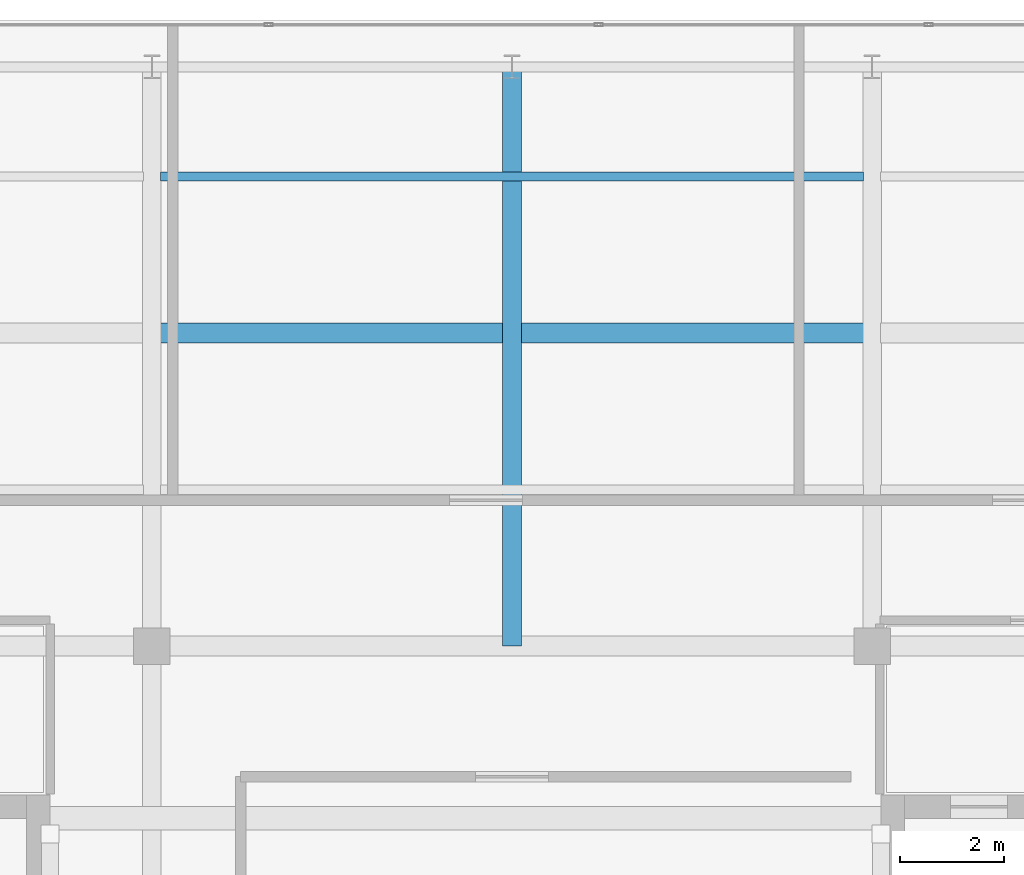
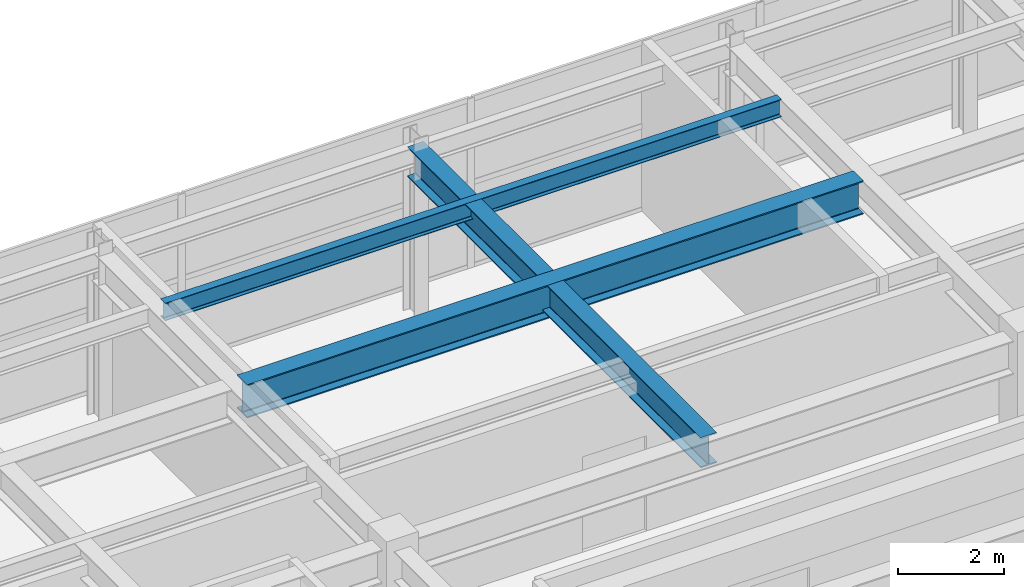
# One storey, part 24 of 32: 3 beams.
"""IFC4 building model written with IfcOpenShell, lengths in metres."""

from ifc_helpers import new_model, si_unit, direction, frame, origin, origin_2d, place, context, subcontext, project, spatial, i_section, extrude, source, transform, mapped, material, material_profile, profile_set, type_object, element, save


model = new_model("IFC4")

# Units and contexts
model_context = context("Model", 3, precision=1e-05, world=origin(), true_north=direction((0.0, 1.0)))
body_context = subcontext(model_context, "Body", "Model", "MODEL_VIEW")
ifc_project = project(units=[si_unit("LENGTHUNIT", "METRE"), si_unit("AREAUNIT", "SQUARE_METRE"), si_unit("VOLUMEUNIT", "CUBIC_METRE"), si_unit("PLANEANGLEUNIT", "RADIAN"), si_unit("MASSUNIT", "GRAM", prefix="KILO")], contexts=[model_context])

# Site, building, storey
site_placement = place(None, origin())
site = spatial("IfcSite", under=ifc_project, at=site_placement, CompositionType="ELEMENT")
building_placement = place(site_placement, origin())
building = spatial("IfcBuilding", under=site, at=building_placement, Name="Khoralis Quay Care Tower", CompositionType="ELEMENT")
storey_placement = place(building_placement, frame((0.0, 0.0, 297.89990234375)))
storey = spatial("IfcBuildingStorey", under=building, at=storey_placement, Name="L78", CompositionType="ELEMENT", Elevation=297.89990234375)

# Beams
ifc_material = material(Name="Steel S355", Category="steel")
ifc_material_profile_1 = material_profile(ifc_material, i_section(OverallWidth=0.381103515625, OverallDepth=0.77294921875, WebThickness=0.0166015625, FlangeThickness=0.027587890625, FilletRadius=0.02197265625, at=origin_2d()), Name="Steel S355")
ifc_profile_set_1 = profile_set([ifc_material_profile_1], Name="Steel S355")
beam_type_1 = type_object("IfcBeamType", Name="BM-W760X257", PredefinedType="BEAM", material=ifc_profile_set_1)
shared_shape_1 = source(origin(), body_context, "Body", "SweptSolid", [
    extrude(i_section(OverallWidth=0.381103515625, OverallDepth=0.77294921875, WebThickness=0.0166015625, FlangeThickness=0.027587890625, FilletRadius=0.02197265625, at=origin_2d()), origin(), (0.0, 0.0, 1.0), 13.46923828125),
])
beam_1_placement = place(storey_placement, frame((17.265380859375, 36.0, 3.53369140625), z_axis=(1.0, 0.0, 0.0), x_axis=(0.0, 1.0, 0.0)))
element("IfcBeam", 1, at=beam_1_placement, inside=storey, type_object=beam_type_1, Name="BM-TGCC-L78-360", PredefinedType="BEAM", context=body_context, shape_type="MappedRepresentation", body=[
    mapped(shared_shape_1, transform((0.0, 0.0, 0.0), scale=1.0)),
])
ifc_material_profile_2 = material_profile(ifc_material, i_section(OverallWidth=0.35498046875, OverallDepth=0.695068359375, WebThickness=0.015380859375, FlangeThickness=0.02490234375, FilletRadius=0.02001953125, at=origin_2d()), Name="Steel S355")
ifc_profile_set_2 = profile_set([ifc_material_profile_2], Name="Steel S355")
beam_type_2 = type_object("IfcBeamType", Name="BM-W690X217", PredefinedType="BEAM", material=ifc_profile_set_2)
shared_shape_2 = source(origin(), body_context, "Body", "SweptSolid", [
    extrude(i_section(OverallWidth=0.35498046875, OverallDepth=0.695068359375, WebThickness=0.015380859375, FlangeThickness=0.02490234375, FilletRadius=0.02001953125, at=origin_2d()), origin(), (0.0, 0.0, 1.0), 11.10009765625),
])
beam_2_placement = place(storey_placement, frame((24.0, 30.0, 3.572509765625), z_axis=(0.0, 1.0, 0.0), x_axis=(-1.0, 0.0, 0.0)))
element("IfcBeam", 2, at=beam_2_placement, inside=storey, type_object=beam_type_2, Name="BM-TGYN-L78-240", PredefinedType="BEAM", context=body_context, shape_type="MappedRepresentation", body=[
    mapped(shared_shape_2, transform((0.0, 0.0, 0.0), scale=1.0)),
])
ifc_material_profile_3 = material_profile(ifc_material, i_section(OverallWidth=0.177978515625, OverallDepth=0.406982421875, WebThickness=0.0078125, FlangeThickness=0.0126953125, FilletRadius=0.012939453125, at=origin_2d()), Name="Steel S355")
ifc_profile_set_3 = profile_set([ifc_material_profile_3], Name="Steel S355")
beam_type_3 = type_object("IfcBeamType", Name="BM-W410X60", PredefinedType="JOIST", material=ifc_profile_set_3)
shared_shape_3 = source(origin(), body_context, "Body", "SweptSolid", [
    extrude(i_section(OverallWidth=0.177978515625, OverallDepth=0.406982421875, WebThickness=0.0078125, FlangeThickness=0.0126953125, FilletRadius=0.012939453125, at=origin_2d()), origin(), (0.0, 0.0, 1.0), 13.46923828125),
])
beam_3_placement = place(storey_placement, frame((17.265380859375, 39.0, 3.716552734375), z_axis=(1.0, 0.0, 0.0), x_axis=(0.0, 1.0, 0.0)))
element("IfcBeam", 3, at=beam_3_placement, inside=storey, type_object=beam_type_3, Name="BM-TJS-L78-29", PredefinedType="JOIST", context=body_context, shape_type="MappedRepresentation", body=[
    mapped(shared_shape_3, transform((0.0, 0.0, 0.0), scale=1.0)),
])

save(model, "model.ifc")
